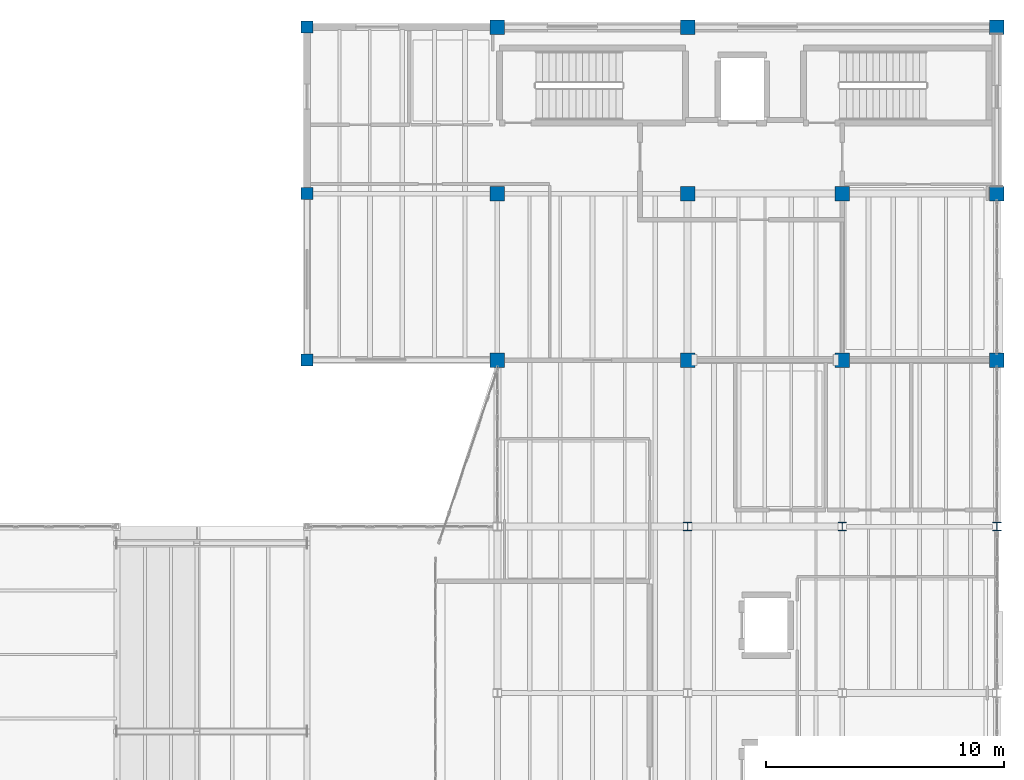
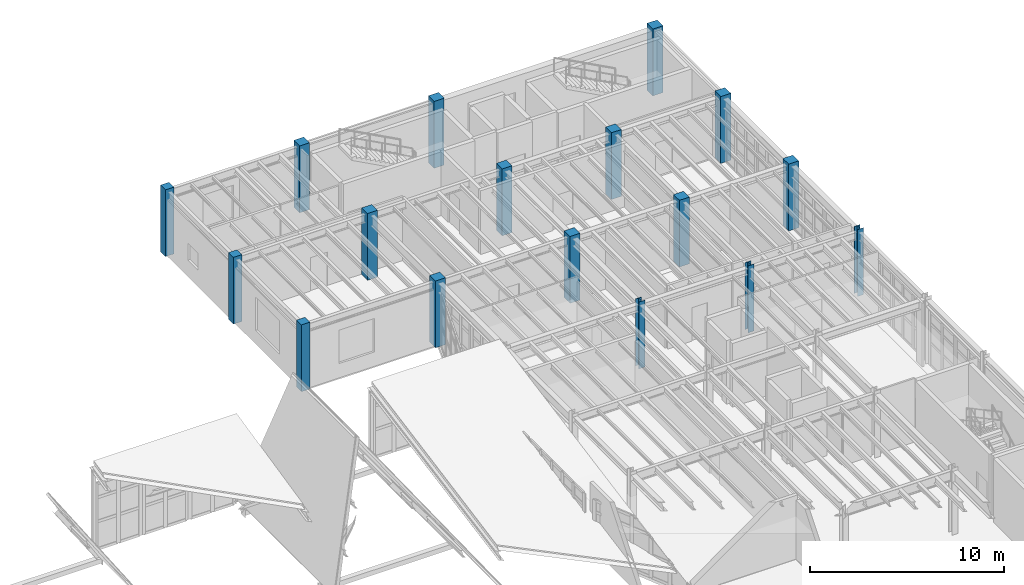
# One storey, part 4 of 77: 17 columns.
"""IFC4 building model written with IfcOpenShell, lengths in metres."""

from ifc_helpers import new_model, si_unit, direction, frame, origin, origin_2d, place, context, subcontext, project, spatial, rectangle, i_section, extrude, material, material_profile, profile_set, type_object, element, save


model = new_model("IFC4")

# Units and contexts
model_context = context("Model", 3, precision=1e-05, world=origin(), true_north=direction((0.0, 1.0)))
body_context = subcontext(model_context, "Body", "Model", "MODEL_VIEW")
ifc_project = project(units=[si_unit("LENGTHUNIT", "METRE"), si_unit("AREAUNIT", "SQUARE_METRE"), si_unit("VOLUMEUNIT", "CUBIC_METRE"), si_unit("PLANEANGLEUNIT", "RADIAN"), si_unit("MASSUNIT", "GRAM", prefix="KILO"), si_unit("THERMODYNAMICTEMPERATUREUNIT", "KELVIN"), si_unit("POWERUNIT", "WATT")], contexts=[model_context])

# Site, building, storey
site_placement = place(None, origin())
site = spatial("IfcSite", under=ifc_project, at=site_placement, CompositionType="ELEMENT")
building_placement = place(site_placement, origin())
building = spatial("IfcBuilding", under=site, at=building_placement, Name="Zhenchuan Central Fire Station", CompositionType="ELEMENT")
storey_placement = place(building_placement, frame((0.0, 0.0, 10.050048828125)))
storey = spatial("IfcBuildingStorey", under=building, at=storey_placement, Name="L03", CompositionType="ELEMENT", Elevation=10.050048828125)

# Columns
ifc_material_1 = material(Name="Steel Q355B", Category="steel")
ifc_material_profile_1 = material_profile(ifc_material_1, i_section(OverallWidth=0.35009765625, OverallDepth=0.35009765625, WebThickness=0.011962890625, FlangeThickness=0.01904296875, FilletRadius=0.02001953125, at=origin_2d()), Name="HW 350x350")
ifc_profile_set_1 = profile_set([ifc_material_profile_1], Name="Steel Q355B")
column_type_1 = type_object("IfcColumnType", Name="COL-HW350", PredefinedType="COLUMN", material=ifc_profile_set_1)
column_1_placement = place(storey_placement, frame((161.0, 35.5, 0.0), z_axis=(0.0, 0.0, 1.0), x_axis=(1.0, 0.0, 0.0)))
element("IfcColumn", 1, at=column_1_placement, inside=storey, type_object=column_type_1, Name="L03 Column 056", PredefinedType="COLUMN", context=body_context, shape_type="SweptSolid", body=[
    extrude(i_section(OverallWidth=0.35009765625, OverallDepth=0.35009765625, WebThickness=0.011962890625, FlangeThickness=0.01904296875, FilletRadius=0.02001953125, at=origin_2d()), origin(), (0.0, 0.0, 1.0), 4.199951171875),
])
ifc_material_profile_2 = material_profile(ifc_material_1, i_section(OverallWidth=0.35009765625, OverallDepth=0.35009765625, WebThickness=0.011962890625, FlangeThickness=0.01904296875, FilletRadius=0.02001953125, at=origin_2d()), Name="HW 350x350")
ifc_profile_set_2 = profile_set([ifc_material_profile_2], Name="Steel Q355B")
column_type_2 = type_object("IfcColumnType", Name="COL-HW350-INT", PredefinedType="COLUMN", material=ifc_profile_set_2)
for number, where, z_axis, x_axis, name in (
    (2, (148.0, 35.5, 0.0), (0.0, 0.0, 1.0), (1.0, 0.0, 0.0), "L03 Column 039"),
    (3, (154.5, 35.5, 0.0), (0.0, 0.0, 1.0), (1.0, 0.0, 0.0), "L03 Column 048"),
):
    element("IfcColumn", number, at=place(storey_placement, frame(where, z_axis=z_axis, x_axis=x_axis)), inside=storey, type_object=column_type_2, Name=name, PredefinedType="COLUMN", context=body_context, shape_type="SweptSolid", body=[
        extrude(i_section(OverallWidth=0.35009765625, OverallDepth=0.35009765625, WebThickness=0.011962890625, FlangeThickness=0.01904296875, FilletRadius=0.02001953125, at=origin_2d()), origin(), (0.0, 0.0, 1.0), 4.199951171875),
    ])
ifc_material_2 = material(Name="Concrete C40/50", Category="concrete")
ifc_material_profile_3 = material_profile(ifc_material_2, rectangle(XDim=0.5, YDim=0.5, at=origin_2d()), Name="RC 500x500")
ifc_profile_set_3 = profile_set([ifc_material_profile_3], Name="Concrete C40/50")
column_type_3 = type_object("IfcColumnType", Name="COL-RC500", PredefinedType="COLUMN", material=ifc_profile_set_3)
for number, where, z_axis, x_axis, name in (
    (4, (132.0, 42.5, 0.0), (0.0, 0.0, 1.0), (1.0, 0.0, 0.0), "L03 Column 022"),
    (5, (132.0, 49.5, 0.0), (0.0, 0.0, 1.0), (1.0, 0.0, 0.0), "L03 Column 023"),
):
    element("IfcColumn", number, at=place(storey_placement, frame(where, z_axis=z_axis, x_axis=x_axis)), inside=storey, type_object=column_type_3, Name=name, PredefinedType="COLUMN", context=body_context, shape_type="SweptSolid", body=[
        extrude(rectangle(XDim=0.5, YDim=0.5, at=origin_2d()), origin(), (0.0, 0.0, 1.0), 4.199951171875),
    ])
ifc_material_profile_4 = material_profile(ifc_material_2, rectangle(XDim=0.5, YDim=0.5, at=origin_2d()), Name="RC 500x500")
ifc_profile_set_4 = profile_set([ifc_material_profile_4], Name="Concrete C40/50")
column_type_4 = type_object("IfcColumnType", Name="COL-RC500-EXT", PredefinedType="COLUMN", material=ifc_profile_set_4)
column_2_placement = place(storey_placement, frame((132.0, 56.5, 0.0), z_axis=(0.0, 0.0, 1.0), x_axis=(1.0, 0.0, 0.0)))
element("IfcColumn", 6, at=column_2_placement, inside=storey, type_object=column_type_4, Name="L03 Column 024", PredefinedType="COLUMN", context=body_context, shape_type="SweptSolid", body=[
    extrude(rectangle(XDim=0.5, YDim=0.5, at=origin_2d()), origin(), (0.0, 0.0, 1.0), 4.199951171875),
])
ifc_material_profile_5 = material_profile(ifc_material_2, rectangle(XDim=0.60009765625, YDim=0.60009765625, at=origin_2d()), Name="RC 600x600")
ifc_profile_set_5 = profile_set([ifc_material_profile_5], Name="Concrete C40/50")
column_type_5 = type_object("IfcColumnType", Name="COL-RC600", PredefinedType="COLUMN", material=ifc_profile_set_5)
for number, where, z_axis, x_axis, name in (
    (7, (140.0, 42.5, 0.0), (0.0, 0.0, 1.0), (1.0, 0.0, 0.0), "L03 Column 031"),
    (8, (140.0, 49.5, 0.0), (0.0, 0.0, 1.0), (1.0, 0.0, 0.0), "L03 Column 032"),
    (9, (148.0, 42.5, 0.0), (0.0, 0.0, 1.0), (1.0, 0.0, 0.0), "L03 Column 040"),
    (10, (148.0, 49.5, 0.0), (0.0, 0.0, 1.0), (1.0, 0.0, 0.0), "L03 Column 041"),
    (11, (154.5, 42.5, 0.0), (0.0, 0.0, 1.0), (1.0, 0.0, 0.0), "L03 Column 049"),
    (12, (154.5, 49.5, 0.0), (0.0, 0.0, 1.0), (1.0, 0.0, 0.0), "L03 Column 050"),
):
    element("IfcColumn", number, at=place(storey_placement, frame(where, z_axis=z_axis, x_axis=x_axis)), inside=storey, type_object=column_type_5, Name=name, PredefinedType="COLUMN", context=body_context, shape_type="SweptSolid", body=[
        extrude(rectangle(XDim=0.60009765625, YDim=0.60009765625, at=origin_2d()), origin(), (0.0, 0.0, 1.0), 4.199951171875),
    ])
ifc_material_profile_6 = material_profile(ifc_material_2, rectangle(XDim=0.60009765625, YDim=0.60009765625, at=origin_2d()), Name="RC 600x600")
ifc_profile_set_6 = profile_set([ifc_material_profile_6], Name="Concrete C40/50")
column_type_6 = type_object("IfcColumnType", Name="COL-RC600-EXT", PredefinedType="COLUMN", material=ifc_profile_set_6)
for number, where, z_axis, x_axis, name in (
    (13, (140.0, 56.5, 0.0), (0.0, 0.0, 1.0), (1.0, 0.0, 0.0), "L03 Column 033"),
    (14, (148.0, 56.5, 0.0), (0.0, 0.0, 1.0), (1.0, 0.0, 0.0), "L03 Column 042"),
    (15, (161.0, 42.5, 0.0), (0.0, 0.0, 1.0), (1.0, 0.0, 0.0), "L03 Column 057"),
    (16, (161.0, 49.5, 0.0), (0.0, 0.0, 1.0), (1.0, 0.0, 0.0), "L03 Column 058"),
    (17, (161.0, 56.5, 0.0), (0.0, 0.0, 1.0), (1.0, 0.0, 0.0), "L03 Column 059"),
):
    element("IfcColumn", number, at=place(storey_placement, frame(where, z_axis=z_axis, x_axis=x_axis)), inside=storey, type_object=column_type_6, Name=name, PredefinedType="COLUMN", context=body_context, shape_type="SweptSolid", body=[
        extrude(rectangle(XDim=0.60009765625, YDim=0.60009765625, at=origin_2d()), origin(), (0.0, 0.0, 1.0), 4.199951171875),
    ])

save(model, "model.ifc")
